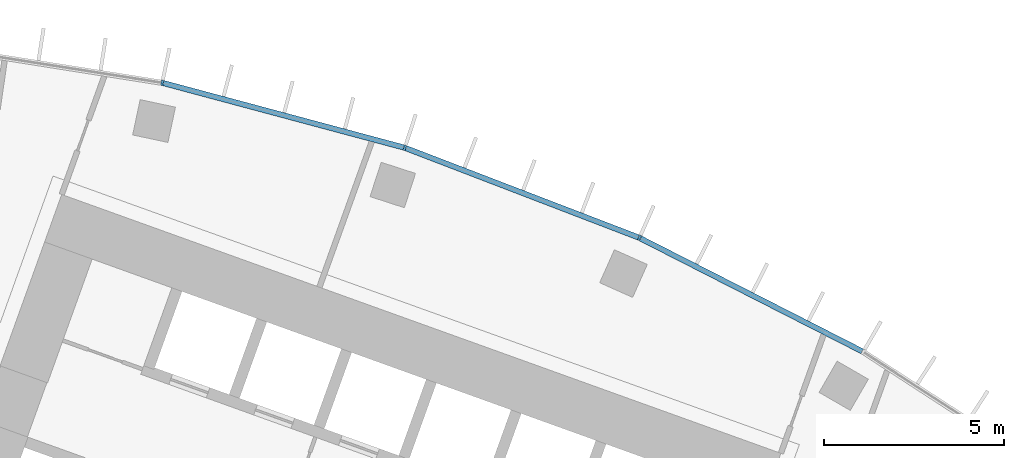
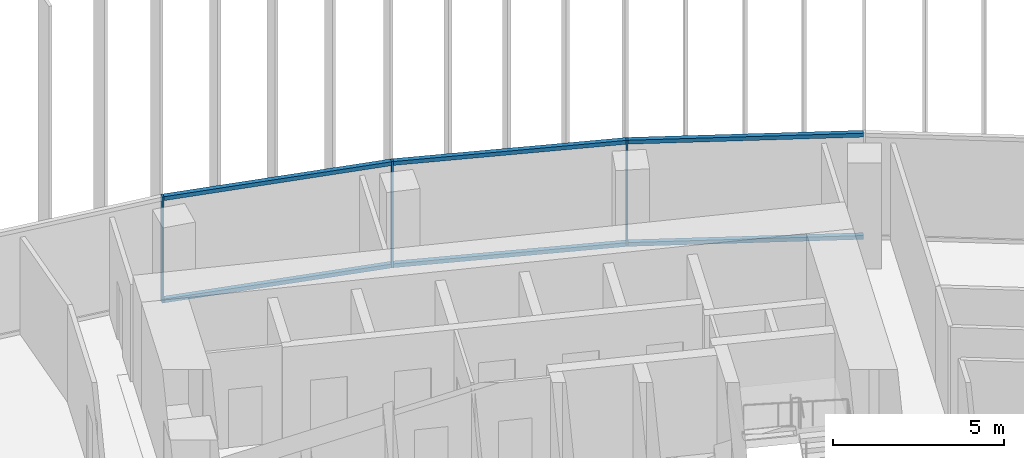
# One storey, part 11 of 23: 9 members, 1 element without a shape of its own.
"""IFC4 building model written with IfcOpenShell, lengths in metres."""

from ifc_helpers import new_model, si_unit, direction, frame, origin, origin_2d, place, context, subcontext, project, spatial, rectangle, extrude, material, layer, layer_set, material_profile, profile_set, type_object, element, aggregate, save


model = new_model("IFC4")

# Units and contexts
model_context = context("Model", 3, precision=1e-05, world=origin(), true_north=direction((0.0, 1.0)))
body_context = subcontext(model_context, "Body", "Model", "MODEL_VIEW")
ifc_project = project(units=[si_unit("LENGTHUNIT", "METRE"), si_unit("AREAUNIT", "SQUARE_METRE"), si_unit("VOLUMEUNIT", "CUBIC_METRE"), si_unit("PLANEANGLEUNIT", "RADIAN"), si_unit("MASSUNIT", "GRAM", prefix="KILO")], contexts=[model_context])

# Site, building, storey
site_placement = place(None, origin())
site = spatial("IfcSite", under=ifc_project, at=site_placement, CompositionType="ELEMENT")
building_placement = place(site_placement, origin())
building = spatial("IfcBuilding", under=site, at=building_placement, Name="Stone Belt Terrace Tower", CompositionType="ELEMENT")
storey_placement = place(building_placement, frame((0.0, 0.0, 166.800048828125)))
storey = spatial("IfcBuildingStorey", under=building, at=storey_placement, Name="L40", CompositionType="ELEMENT", Elevation=166.800048828125)

# Curtain wall, members
ifc_material = material(Name="Aluminium 6063-T6 anodised frame", Category="aluminium")
ifc_layer = layer(ifc_material, 0.14990234375)
ifc_layer_set = layer_set([ifc_layer], Name="CW-A unitised convex-face curtain wall")
curtain_wall_type = type_object("IfcCurtainWallType", Name="CW-A unitised convex-face curtain wall", PredefinedType="NOTDEFINED", material=ifc_layer_set)
curtain_wall_placement = place(storey_placement, origin())
curtain_wall = element("IfcCurtainWall", 1, at=curtain_wall_placement, inside=storey, type_object=curtain_wall_type, Name="CW-A convex face L40", PredefinedType="NOTDEFINED")
ifc_material_profile_1 = material_profile(ifc_material, rectangle(XDim=0.14990234375, YDim=0.06005859375, at=origin_2d()), Name="Aluminium 6063-T6 60x150")
ifc_profile_set_1 = profile_set([ifc_material_profile_1], Name="Aluminium 6063-T6 anodised frame")
member_type_1 = type_object("IfcMemberType", Name="CW-A mullion 60 x 150", PredefinedType="MULLION", material=ifc_profile_set_1)
member_1_placement = place(storey_placement, frame((27.07861328125, 60.8193359375, 0.0), z_axis=(0.0, 0.0, 1.0), x_axis=(-0.406736643076, -0.913545457643, 0.0)))
member_1 = element("IfcMember", 2, at=member_1_placement, type_object=member_type_1, Name="CW-A mullion 5", PredefinedType="MULLION", context=body_context, shape_type="SweptSolid", body=[
    extrude(rectangle(XDim=0.14990234375, YDim=0.06005859375, at=origin_2d()), origin(), (0.0, 0.0, 1.0), 3.800048828125),
])
member_2_placement = place(storey_placement, frame((20.57275390625, 63.316650390625, 0.0), z_axis=(0.0, 0.0, 1.0), x_axis=(-0.309016994375, -0.951056516295, 0.0)))
member_2 = element("IfcMember", 3, at=member_2_placement, type_object=member_type_1, Name="CW-A mullion 6", PredefinedType="MULLION", context=body_context, shape_type="SweptSolid", body=[
    extrude(rectangle(XDim=0.14990234375, YDim=0.06005859375, at=origin_2d()), origin(), (0.0, 0.0, 1.0), 3.800048828125),
])
member_3_placement = place(storey_placement, frame((13.841796875, 65.120361328125, 0.0), z_axis=(0.0, 0.0, 1.0), x_axis=(-0.207911690818, -0.978147600734, 0.0)))
member_3 = element("IfcMember", 4, at=member_3_placement, type_object=member_type_1, Name="CW-A mullion 7", PredefinedType="MULLION", context=body_context, shape_type="SweptSolid", body=[
    extrude(rectangle(XDim=0.14990234375, YDim=0.06005859375, at=origin_2d()), origin(), (0.0, 0.0, 1.0), 3.800048828125),
])
ifc_material_profile_2 = material_profile(ifc_material, rectangle(XDim=0.14990234375, YDim=0.139892578125, at=origin_2d()), Name="Aluminium 6063-T6 150x140")
ifc_profile_set_2 = profile_set([ifc_material_profile_2], Name="Aluminium 6063-T6 anodised frame")
member_type_2 = type_object("IfcMemberType", Name="CW-A transom 140 x 150", PredefinedType="USERDEFINED", material=ifc_profile_set_2)
member_4_placement = place(storey_placement, frame((33.25732421875, 57.671142578125, 0.070068359375), z_axis=(-0.891012226264, 0.453979308613, 0.0), x_axis=(-0.453979308613, -0.891012226264, 0.0)))
member_4 = element("IfcMember", 5, at=member_4_placement, type_object=member_type_2, Name="CW-A transom 4.1", ObjectType="TRANSOM", PredefinedType="USERDEFINED", context=body_context, shape_type="SweptSolid", body=[
    extrude(rectangle(XDim=0.14990234375, YDim=0.139892578125, at=origin_2d()), origin(), (0.0, 0.0, 1.0), 6.90087890625),
])
member_5_placement = place(storey_placement, frame((33.25732421875, 57.671142578125, 3.72998046875), z_axis=(-0.891012226264, 0.453979308613, 0.0), x_axis=(-0.453979308613, -0.891012226264, 0.0)))
member_5 = element("IfcMember", 6, at=member_5_placement, type_object=member_type_2, Name="CW-A transom 4.2", ObjectType="TRANSOM", PredefinedType="USERDEFINED", context=body_context, shape_type="SweptSolid", body=[
    extrude(rectangle(XDim=0.14990234375, YDim=0.139892578125, at=origin_2d()), origin(), (0.0, 0.0, 1.0), 6.90087890625),
])
member_6_placement = place(storey_placement, frame((27.046875, 60.83154296875, 0.070068359375), z_axis=(-0.933585210269, 0.358355487146, 0.0), x_axis=(-0.358355487146, -0.933585210269, 0.0)))
member_6 = element("IfcMember", 7, at=member_6_placement, type_object=member_type_2, Name="CW-A transom 5.1", ObjectType="TRANSOM", PredefinedType="USERDEFINED", context=body_context, shape_type="SweptSolid", body=[
    extrude(rectangle(XDim=0.14990234375, YDim=0.139892578125, at=origin_2d()), origin(), (0.0, 0.0, 1.0), 6.900634765625),
])
member_7_placement = place(storey_placement, frame((27.046875, 60.83154296875, 3.72998046875), z_axis=(-0.933585210269, 0.358355487146, 0.0), x_axis=(-0.358355487146, -0.933585210269, 0.0)))
member_7 = element("IfcMember", 8, at=member_7_placement, type_object=member_type_2, Name="CW-A transom 5.2", ObjectType="TRANSOM", PredefinedType="USERDEFINED", context=body_context, shape_type="SweptSolid", body=[
    extrude(rectangle(XDim=0.14990234375, YDim=0.139892578125, at=origin_2d()), origin(), (0.0, 0.0, 1.0), 6.900634765625),
])
member_8_placement = place(storey_placement, frame((20.5400390625, 63.325439453125, 0.070068359375), z_axis=(-0.965921835863, 0.258833937117, 0.0), x_axis=(-0.258833937117, -0.965921835863, 0.0)))
member_8 = element("IfcMember", 9, at=member_8_placement, type_object=member_type_2, Name="CW-A transom 6.1", ObjectType="TRANSOM", PredefinedType="USERDEFINED", context=body_context, shape_type="SweptSolid", body=[
    extrude(rectangle(XDim=0.14990234375, YDim=0.139892578125, at=origin_2d()), origin(), (0.0, 0.0, 1.0), 6.900634765625),
])
member_9_placement = place(storey_placement, frame((20.5400390625, 63.325439453125, 3.72998046875), z_axis=(-0.965921835863, 0.258833937117, 0.0), x_axis=(-0.258833937117, -0.965921835863, 0.0)))
member_9 = element("IfcMember", 10, at=member_9_placement, type_object=member_type_2, Name="CW-A transom 6.2", ObjectType="TRANSOM", PredefinedType="USERDEFINED", context=body_context, shape_type="SweptSolid", body=[
    extrude(rectangle(XDim=0.14990234375, YDim=0.139892578125, at=origin_2d()), origin(), (0.0, 0.0, 1.0), 6.900634765625),
])
aggregate(curtain_wall, [member_1, member_2, member_3, member_4, member_5, member_6, member_7, member_8, member_9])

save(model, "model.ifc")
